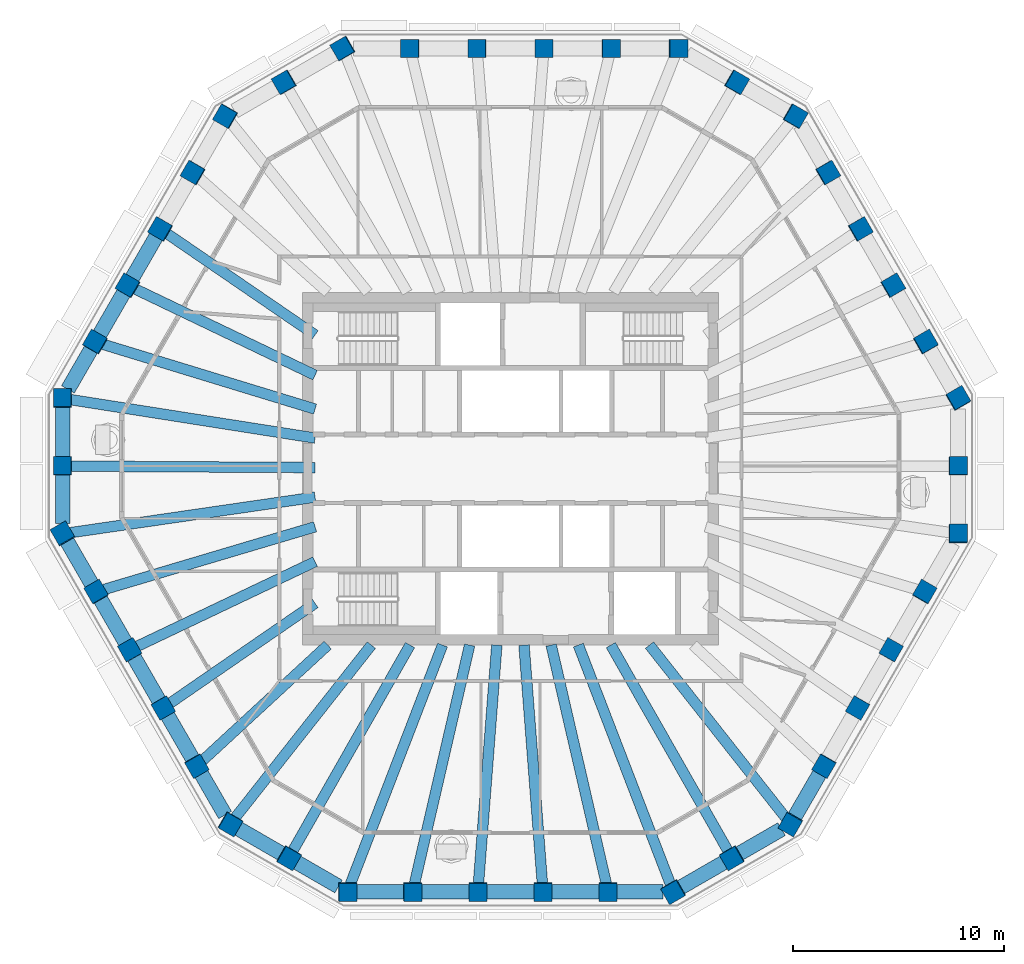
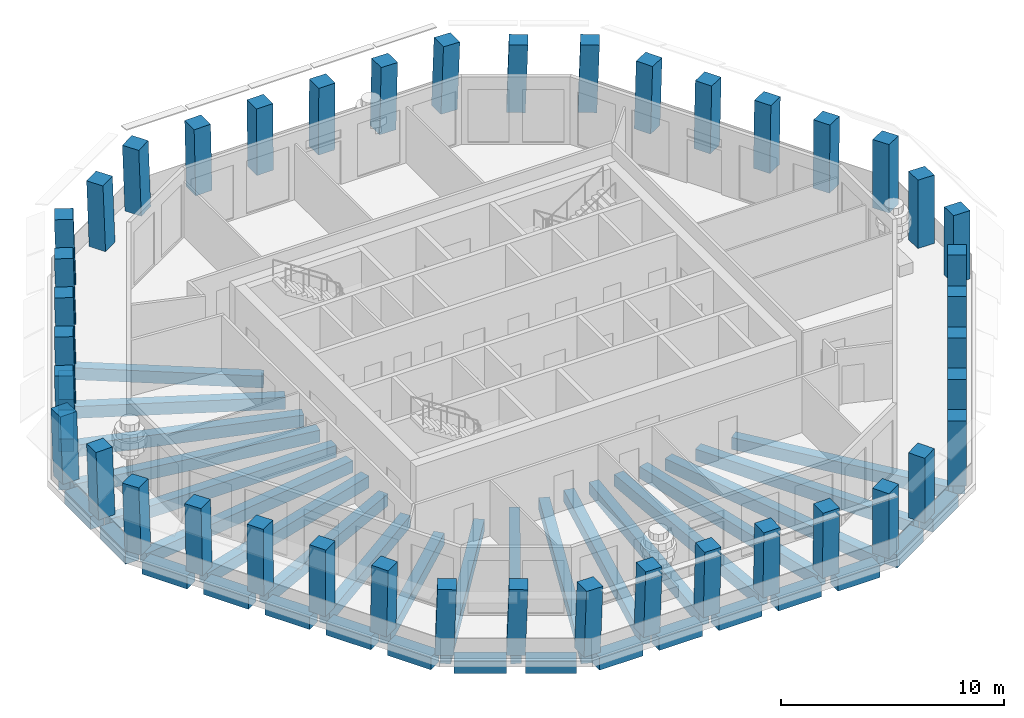
# One storey, part 1 of 11: 42 columns, 40 beams.
"""IFC4 building model written with IfcOpenShell, lengths in metres."""

from ifc_helpers import new_model, si_unit, direction, frame, origin, origin_2d, place, context, subcontext, project, spatial, rectangle, extrude, material, material_profile, profile_set, type_object, element, save


model = new_model("IFC4")

# Units and contexts
model_context = context("Model", 3, precision=1e-05, world=origin(), true_north=direction((0.0, 1.0)))
body_context = subcontext(model_context, "Body", "Model", "MODEL_VIEW")
ifc_project = project(units=[si_unit("LENGTHUNIT", "METRE"), si_unit("AREAUNIT", "SQUARE_METRE"), si_unit("VOLUMEUNIT", "CUBIC_METRE"), si_unit("PLANEANGLEUNIT", "RADIAN"), si_unit("MASSUNIT", "GRAM", prefix="KILO")], contexts=[model_context])

# Site, building, storey
site_placement = place(None, origin())
site = spatial("IfcSite", under=ifc_project, at=site_placement, CompositionType="ELEMENT")
building_placement = place(site_placement, origin())
building = spatial("IfcBuilding", under=site, at=building_placement, Name="Frailejon Research Tower", CompositionType="ELEMENT")
storey_placement = place(building_placement, frame((0.0, 0.0, 312.60009765625)))
storey = spatial("IfcBuildingStorey", under=building, at=storey_placement, Name="L69", CompositionType="ELEMENT", Elevation=312.60009765625)

# Columns
ifc_material_1 = material(Name="Concrete C50/60", Category="concrete")
ifc_material_profile_1 = material_profile(ifc_material_1, rectangle(XDim=0.85009765625, YDim=0.85009765625, at=origin_2d()), Name="Column 850")
ifc_profile_set_1 = profile_set([ifc_material_profile_1], Name="Concrete C50/60")
column_type = type_object("IfcColumnType", Name="Column 850", PredefinedType="COLUMN", material=ifc_profile_set_1)
for number, where, z_axis, x_axis, name in (
    (1, (21.2001953125, -3.080322265625, 0.0), (0.018115203871, 0.031350666477, 0.999344272561), (-0.000374749584, 0.999508428335, -0.031349023127), "Column C01"),
    (2, (21.2001953125, 0.125732421875, 0.0), (0.018115165867, 0.031417446337, 0.999342176049), (-0.001297375745, 0.999506085267, -0.031399081689), "Column C02"),
    (3, (21.2001953125, 3.331787109375, 0.0), (0.018115165867, 0.031417446337, 0.999342176049), (-0.501041092948, 0.865233799715, -0.018118913022), "Column C03"),
):
    element("IfcColumn", number, at=place(storey_placement, frame(where, z_axis=z_axis, x_axis=x_axis)), inside=storey, type_object=column_type, Name=name, PredefinedType="COLUMN", context=body_context, shape_type="SweptSolid", body=[
        extrude(rectangle(XDim=0.85009765625, YDim=0.85009765625, at=origin_2d()), origin(), (0.0, 0.0, 1.0), 3.65234375),
    ])
column_1_placement = place(storey_placement, frame((19.6572265625, 6.004150390625, 0.0), z_axis=(0.021793949015, 0.025136579231, 0.999446434868), x_axis=(-0.499665408411, 0.866150057728, -0.010888394553)))
element("IfcColumn", 4, at=column_1_placement, inside=storey, type_object=column_type, Name="Column C04", PredefinedType="COLUMN", context=body_context, shape_type="SweptSolid", body=[
    extrude(rectangle(XDim=0.85009765625, YDim=0.85009765625, at=origin_2d()), origin(), (0.0, 0.0, 1.0), 3.65185546875),
])
for number, where, z_axis, x_axis, name in (
    (5, (18.1142578125, 8.676513671875, 0.0), (0.025338491599, 0.018920298476, 0.999499866508), (-0.502095324697, 0.864804614861, -0.003641844679), "Column C05"),
    (6, (16.5712890625, 11.34912109375, 0.0), (0.029015583354, 0.012568962375, 0.99949993352), (-0.499848966802, 0.86610502362, 0.003619177736), "Column C06"),
):
    element("IfcColumn", number, at=place(storey_placement, frame(where, z_axis=z_axis, x_axis=x_axis)), inside=storey, type_object=column_type, Name=name, PredefinedType="COLUMN", context=body_context, shape_type="SweptSolid", body=[
        extrude(rectangle(XDim=0.85009765625, YDim=0.85009765625, at=origin_2d()), origin(), (0.0, 0.0, 1.0), 3.651611328125),
    ])
column_2_placement = place(storey_placement, frame((15.0283203125, 14.021484375, 0.0), z_axis=(0.032690901241, 0.006284140525, 0.999445753682), x_axis=(-0.499706638274, 0.866126137772, 0.010899042754)))
element("IfcColumn", 7, at=column_2_placement, inside=storey, type_object=column_type, Name="Column C07", PredefinedType="COLUMN", context=body_context, shape_type="SweptSolid", body=[
    extrude(rectangle(XDim=0.85009765625, YDim=0.85009765625, at=origin_2d()), origin(), (0.0, 0.0, 1.0), 3.65185546875),
])
for number, where, z_axis, x_axis, name in (
    (8, (13.4853515625, 16.69384765625, 0.0), (0.036297136169, 0.0, 0.99934104184), (-0.865312543657, 0.500246354177, 0.031429077673), "Column C08"),
    (9, (10.708984375, 18.297119140625, 0.0), (0.036230378439, 0.0, 0.99934346432), (-0.865314641241, 0.500246354177, 0.031371273281), "Column C09"),
    (10, (7.932373046875, 19.89990234375, 0.0), (0.036230378439, 0.0, 0.99934346432), (-0.99934346432, 0.0, 0.036230378439), "Column C10"),
):
    element("IfcColumn", number, at=place(storey_placement, frame(where, z_axis=z_axis, x_axis=x_axis)), inside=storey, type_object=column_type, Name=name, PredefinedType="COLUMN", context=body_context, shape_type="SweptSolid", body=[
        extrude(rectangle(XDim=0.85009765625, YDim=0.85009765625, at=origin_2d()), origin(), (0.0, 0.0, 1.0), 3.65234375),
    ])
column_3_placement = place(storey_placement, frame((4.759521484375, 19.89990234375, 0.0), z_axis=(0.021733995409, 0.0, 0.999763788824), x_axis=(-0.999763788824, 0.0, 0.021733995409)))
element("IfcColumn", 11, at=column_3_placement, inside=storey, type_object=column_type, Name="Column C11", PredefinedType="COLUMN", context=body_context, shape_type="SweptSolid", body=[
    extrude(rectangle(XDim=0.85009765625, YDim=0.85009765625, at=origin_2d()), origin(), (0.0, 0.0, 1.0), 3.65087890625),
])
for number, where, z_axis, x_axis, name in (
    (12, (1.58642578125, 19.89990234375, 0.0), (0.00729077612, 0.0, 0.999973421939), (-0.999973421939, 0.0, 0.00729077612), "Column C12"),
    (13, (-1.58642578125, 19.89990234375, 0.0), (-0.00729077612, 0.0, 0.999973421939), (-0.999973421939, 0.0, -0.00729077612), "Column C13"),
):
    element("IfcColumn", number, at=place(storey_placement, frame(where, z_axis=z_axis, x_axis=x_axis)), inside=storey, type_object=column_type, Name=name, PredefinedType="COLUMN", context=body_context, shape_type="SweptSolid", body=[
        extrude(rectangle(XDim=0.85009765625, YDim=0.85009765625, at=origin_2d()), origin(), (0.0, 0.0, 1.0), 3.64990234375),
    ])
column_4_placement = place(storey_placement, frame((-4.759521484375, 19.89990234375, 0.0), z_axis=(-0.021733995409, 0.0, 0.999763788824), x_axis=(-0.999763788824, 0.0, -0.021733995409)))
element("IfcColumn", 14, at=column_4_placement, inside=storey, type_object=column_type, Name="Column C14", PredefinedType="COLUMN", context=body_context, shape_type="SweptSolid", body=[
    extrude(rectangle(XDim=0.85009765625, YDim=0.85009765625, at=origin_2d()), origin(), (0.0, 0.0, 1.0), 3.65087890625),
])
for number, where, z_axis, x_axis, name in (
    (15, (-7.932373046875, 19.89990234375, 0.0), (-0.036230378439, 0.0, 0.99934346432), (-0.865314641241, -0.500246354177, -0.031371273281), "Column C15"),
    (16, (-10.708984375, 18.297119140625, 0.0), (-0.036230378439, 0.0, 0.99934346432), (-0.865314641241, -0.500246354177, -0.031371273281), "Column C16"),
    (17, (-13.4853515625, 16.69384765625, 0.0), (-0.036297136169, 0.0, 0.99934104184), (-0.49942428864, -0.866167613071, -0.018139624664), "Column C17"),
):
    element("IfcColumn", number, at=place(storey_placement, frame(where, z_axis=z_axis, x_axis=x_axis)), inside=storey, type_object=column_type, Name=name, PredefinedType="COLUMN", context=body_context, shape_type="SweptSolid", body=[
        extrude(rectangle(XDim=0.85009765625, YDim=0.85009765625, at=origin_2d()), origin(), (0.0, 0.0, 1.0), 3.65234375),
    ])
column_5_placement = place(storey_placement, frame((-15.0283203125, 14.021484375, 0.0), z_axis=(-0.032690901241, 0.006284140525, 0.999445753682), x_axis=(-0.499706638274, -0.866126137772, -0.010899042754)))
element("IfcColumn", 18, at=column_5_placement, inside=storey, type_object=column_type, Name="Column C18", PredefinedType="COLUMN", context=body_context, shape_type="SweptSolid", body=[
    extrude(rectangle(XDim=0.85009765625, YDim=0.85009765625, at=origin_2d()), origin(), (0.0, 0.0, 1.0), 3.65185546875),
])
for number, where, z_axis, x_axis, name in (
    (19, (-16.5712890625, 11.34912109375, 0.0), (-0.029015583354, 0.012568962375, 0.99949993352), (-0.499848966802, -0.86610502362, -0.003619177736), "Column C19"),
    (20, (-18.1142578125, 8.676513671875, 0.0), (-0.025338491599, 0.018920298476, 0.999499866508), (-0.502095324697, -0.864804614861, 0.003641844679), "Column C20"),
):
    element("IfcColumn", number, at=place(storey_placement, frame(where, z_axis=z_axis, x_axis=x_axis)), inside=storey, type_object=column_type, Name=name, PredefinedType="COLUMN", context=body_context, shape_type="SweptSolid", body=[
        extrude(rectangle(XDim=0.85009765625, YDim=0.85009765625, at=origin_2d()), origin(), (0.0, 0.0, 1.0), 3.651611328125),
    ])
column_6_placement = place(storey_placement, frame((-19.6572265625, 6.004150390625, 0.0), z_axis=(-0.021793949015, 0.025136579231, 0.999446434868), x_axis=(-0.499665408411, -0.866150057728, 0.010888394553)))
element("IfcColumn", 21, at=column_6_placement, inside=storey, type_object=column_type, Name="Column C21", PredefinedType="COLUMN", context=body_context, shape_type="SweptSolid", body=[
    extrude(rectangle(XDim=0.85009765625, YDim=0.85009765625, at=origin_2d()), origin(), (0.0, 0.0, 1.0), 3.65185546875),
])
for number, where, z_axis, x_axis, name in (
    (22, (-21.2001953125, 3.331787109375, 0.0), (-0.018115165867, 0.031417446337, 0.999342176049), (-0.001297375745, -0.999506085267, 0.031399081689), "Column C22"),
    (23, (-21.2001953125, 0.125732421875, 0.0), (-0.018115165867, 0.031417446337, 0.999342176049), (-0.001297375745, -0.999506085267, 0.031399081689), "Column C23"),
    (24, (-21.2001953125, -3.080322265625, 0.0), (-0.018115203871, 0.031350666477, 0.999344272561), (0.499839742394, -0.865360738107, 0.036208077349), "Column C24"),
):
    element("IfcColumn", number, at=place(storey_placement, frame(where, z_axis=z_axis, x_axis=x_axis)), inside=storey, type_object=column_type, Name=name, PredefinedType="COLUMN", context=body_context, shape_type="SweptSolid", body=[
        extrude(rectangle(XDim=0.85009765625, YDim=0.85009765625, at=origin_2d()), origin(), (0.0, 0.0, 1.0), 3.65234375),
    ])
column_7_placement = place(storey_placement, frame((-19.613525390625, -5.828125, 0.0), z_axis=(-0.010900436936, 0.018791550792, 0.999764001199), x_axis=(0.501062877188, -0.865138168972, 0.021724219028)))
element("IfcColumn", 25, at=column_7_placement, inside=storey, type_object=column_type, Name="Column C25", PredefinedType="COLUMN", context=body_context, shape_type="SweptSolid", body=[
    extrude(rectangle(XDim=0.85009765625, YDim=0.85009765625, at=origin_2d()), origin(), (0.0, 0.0, 1.0), 3.65087890625),
])
for number, where, z_axis, x_axis, name in (
    (26, (-18.027099609375, -8.576171875, 0.0), (-0.003611943648, 0.006354345307, 0.999973287723), (0.492840369787, -0.870089044977, 0.007309153127), "Column C26"),
    (27, (-16.440673828125, -11.323974609375, 0.0), (0.003611945175, -0.00628746012, 0.999973710503), (0.499382072477, -0.866351526517, -0.007251081967), "Column C27"),
):
    element("IfcColumn", number, at=place(storey_placement, frame(where, z_axis=z_axis, x_axis=x_axis)), inside=storey, type_object=column_type, Name=name, PredefinedType="COLUMN", context=body_context, shape_type="SweptSolid", body=[
        extrude(rectangle(XDim=0.85009765625, YDim=0.85009765625, at=origin_2d()), origin(), (0.0, 0.0, 1.0), 3.64990234375),
    ])
column_8_placement = place(storey_placement, frame((-14.854248046875, -14.07177734375, 0.0), z_axis=(0.010900423214, -0.018858400897, 0.999762742599), x_axis=(0.499728924135, -0.865907930491, -0.021782063614)))
element("IfcColumn", 28, at=column_8_placement, inside=storey, type_object=column_type, Name="Column C28", PredefinedType="COLUMN", context=body_context, shape_type="SweptSolid", body=[
    extrude(rectangle(XDim=0.85009765625, YDim=0.85009765625, at=origin_2d()), origin(), (0.0, 0.0, 1.0), 3.65087890625),
])
for number, where, z_axis, x_axis, name in (
    (29, (-13.267578125, -16.819580078125, 0.0), (0.018115165867, -0.031417446337, 0.999342176049), (0.865519692755, -0.499889378995, -0.031404939456), "Column C29"),
    (30, (-10.4912109375, -18.422607421875, 0.0), (0.018115165867, -0.031417446337, 0.999342176049), (0.865519692755, -0.499889378995, -0.031404939456), "Column C30"),
    (31, (-7.714599609375, -20.025634765625, 0.0), (0.018115165867, -0.031417446337, 0.999342176049), (0.999835898247, 0.000437581599, -0.018110358868), "Column C31"),
):
    element("IfcColumn", number, at=place(storey_placement, frame(where, z_axis=z_axis, x_axis=x_axis)), inside=storey, type_object=column_type, Name=name, PredefinedType="COLUMN", context=body_context, shape_type="SweptSolid", body=[
        extrude(rectangle(XDim=0.85009765625, YDim=0.85009765625, at=origin_2d()), origin(), (0.0, 0.0, 1.0), 3.65234375),
    ])
column_9_placement = place(storey_placement, frame((-4.62890625, -20.025634765625, 0.0), z_axis=(0.010896978963, -0.031420736888, 0.99944684358), x_axis=(0.999940625187, 0.000298260455, -0.010892985919)))
element("IfcColumn", 32, at=column_9_placement, inside=storey, type_object=column_type, Name="Column C32", PredefinedType="COLUMN", context=body_context, shape_type="SweptSolid", body=[
    extrude(rectangle(XDim=0.85009765625, YDim=0.85009765625, at=origin_2d()), origin(), (0.0, 0.0, 1.0), 3.65185546875),
])
for number, where, z_axis, x_axis, name in (
    (33, (-1.54296875, -20.025634765625, 0.0), (0.003610232938, -0.031422397791, 0.999499674405), (0.999993379572, -0.000341341874, -0.00362274737), "Column C33"),
    (34, (1.54296875, -20.025634765625, 0.0), (-0.003610232938, -0.031422397791, 0.999499674405), (0.999993379572, 0.000341341874, 0.00362274737), "Column C34"),
):
    element("IfcColumn", number, at=place(storey_placement, frame(where, z_axis=z_axis, x_axis=x_axis)), inside=storey, type_object=column_type, Name=name, PredefinedType="COLUMN", context=body_context, shape_type="SweptSolid", body=[
        extrude(rectangle(XDim=0.85009765625, YDim=0.85009765625, at=origin_2d()), origin(), (0.0, 0.0, 1.0), 3.651611328125),
    ])
column_10_placement = place(storey_placement, frame((4.62890625, -20.025634765625, 0.0), z_axis=(-0.010896978963, -0.031420736888, 0.99944684358), x_axis=(0.999940625187, -0.000298260455, 0.010892985919)))
element("IfcColumn", 35, at=column_10_placement, inside=storey, type_object=column_type, Name="Column C35", PredefinedType="COLUMN", context=body_context, shape_type="SweptSolid", body=[
    extrude(rectangle(XDim=0.85009765625, YDim=0.85009765625, at=origin_2d()), origin(), (0.0, 0.0, 1.0), 3.65185546875),
])
for number, where, z_axis, x_axis, name in (
    (36, (7.714599609375, -20.025634765625, 0.0), (-0.018115165867, -0.031417446337, 0.999342176049), (0.865818316477, 0.499372659284, 0.031394107935), "Column C36"),
    (37, (10.4912109375, -18.422607421875, 0.0), (-0.018115165867, -0.031417446337, 0.999342176049), (0.865519692755, 0.499889378995, 0.031404939456), "Column C37"),
    (38, (13.267578125, -16.819580078125, 0.0), (-0.018115165867, -0.031417446337, 0.999342176049), (0.499040470376, 0.865819492615, 0.036265894916), "Column C38"),
):
    element("IfcColumn", number, at=place(storey_placement, frame(where, z_axis=z_axis, x_axis=x_axis)), inside=storey, type_object=column_type, Name=name, PredefinedType="COLUMN", context=body_context, shape_type="SweptSolid", body=[
        extrude(rectangle(XDim=0.85009765625, YDim=0.85009765625, at=origin_2d()), origin(), (0.0, 0.0, 1.0), 3.65234375),
    ])
column_11_placement = place(storey_placement, frame((14.854248046875, -14.07177734375, 0.0), z_axis=(-0.010900423214, -0.018858400897, 0.999762742599), x_axis=(0.499728924135, 0.865907930491, 0.021782063614)))
element("IfcColumn", 39, at=column_11_placement, inside=storey, type_object=column_type, Name="Column C39", PredefinedType="COLUMN", context=body_context, shape_type="SweptSolid", body=[
    extrude(rectangle(XDim=0.85009765625, YDim=0.85009765625, at=origin_2d()), origin(), (0.0, 0.0, 1.0), 3.65087890625),
])
for number, where, z_axis, x_axis, name in (
    (40, (16.440673828125, -11.323974609375, 0.0), (-0.003611945175, -0.00628746012, 0.999973710503), (0.499382072477, 0.866351526517, 0.007251081967), "Column C40"),
    (41, (18.027099609375, -8.576171875, 0.0), (0.003611943648, 0.006354345307, 0.999973287723), (0.492840369787, 0.870089044977, -0.007309153127), "Column C41"),
):
    element("IfcColumn", number, at=place(storey_placement, frame(where, z_axis=z_axis, x_axis=x_axis)), inside=storey, type_object=column_type, Name=name, PredefinedType="COLUMN", context=body_context, shape_type="SweptSolid", body=[
        extrude(rectangle(XDim=0.85009765625, YDim=0.85009765625, at=origin_2d()), origin(), (0.0, 0.0, 1.0), 3.64990234375),
    ])
column_12_placement = place(storey_placement, frame((19.613525390625, -5.828125, 0.0), z_axis=(0.010900436936, 0.018791550792, 0.999764001199), x_axis=(0.501062877188, 0.865138168972, -0.021724219028)))
element("IfcColumn", 42, at=column_12_placement, inside=storey, type_object=column_type, Name="Column C42", PredefinedType="COLUMN", context=body_context, shape_type="SweptSolid", body=[
    extrude(rectangle(XDim=0.85009765625, YDim=0.85009765625, at=origin_2d()), origin(), (0.0, 0.0, 1.0), 3.65087890625),
])

# Beams
ifc_material_2 = material(Name="Concrete C60/75", Category="concrete")
ifc_material_profile_2 = material_profile(ifc_material_2, rectangle(XDim=0.5, YDim=0.64990234375, at=origin_2d()), Name="Girder 500x650")
ifc_profile_set_2 = profile_set([ifc_material_profile_2], Name="Concrete C60/75")
beam_type_1 = type_object("IfcBeamType", Name="Girder 500x650", PredefinedType="BEAM", material=ifc_profile_set_2)
beam_1_placement = place(storey_placement, frame((-16.343505859375, 11.193115234375, -0.625), z_axis=(0.825052254078, -0.565056437925, 0.0), x_axis=(0.565056437925, 0.825052254078, 0.0)))
element("IfcBeam", 43, at=beam_1_placement, inside=storey, type_object=beam_type_1, Name="Girder 500x650", PredefinedType="BEAM", context=body_context, shape_type="SweptSolid", body=[
    extrude(rectangle(XDim=0.5, YDim=0.64990234375, at=origin_2d()), origin(), (0.0, 0.0, 1.0), 8.59765625),
])
beam_2_placement = place(storey_placement, frame((-17.864990234375, 8.557373046875, -0.625), z_axis=(0.901869348381, -0.432008887003, 0.0), x_axis=(0.432008887003, 0.901869348381, 0.0)))
element("IfcBeam", 44, at=beam_2_placement, inside=storey, type_object=beam_type_1, Name="Girder 500x650", PredefinedType="BEAM", context=body_context, shape_type="SweptSolid", body=[
    extrude(rectangle(XDim=0.5, YDim=0.64990234375, at=origin_2d()), origin(), (0.0, 0.0, 1.0), 9.552490234375),
])
beam_3_placement = place(storey_placement, frame((-19.383544921875, 5.920654296875, -0.625), z_axis=(0.956381794636, -0.292119603739, 0.0), x_axis=(0.292119603739, 0.956381794636, 0.0)))
element("IfcBeam", 45, at=beam_3_placement, inside=storey, type_object=beam_type_1, Name="Girder 500x650", PredefinedType="BEAM", context=body_context, shape_type="SweptSolid", body=[
    extrude(rectangle(XDim=0.5, YDim=0.64990234375, at=origin_2d()), origin(), (0.0, 0.0, 1.0), 10.595703125),
])
beam_4_placement = place(storey_placement, frame((-20.92333984375, 3.288330078125, -0.625), z_axis=(0.987872779719, -0.155265485832, 0.0), x_axis=(0.155265485832, 0.987872779719, 0.0)))
element("IfcBeam", 46, at=beam_4_placement, inside=storey, type_object=beam_type_1, Name="Girder 500x650", PredefinedType="BEAM", context=body_context, shape_type="SweptSolid", body=[
    extrude(rectangle(XDim=0.5, YDim=0.64990234375, at=origin_2d()), origin(), (0.0, 0.0, 1.0), 11.816650390625),
])
beam_5_placement = place(storey_placement, frame((-20.925048828125, 0.1240234375, -0.625), z_axis=(0.999982365714, -0.005938708765, 0.0), x_axis=(0.005938708765, 0.999982365714, 0.0)))
element("IfcBeam", 47, at=beam_5_placement, inside=storey, type_object=beam_type_1, Name="Girder 500x650", PredefinedType="BEAM", context=body_context, shape_type="SweptSolid", body=[
    extrude(rectangle(XDim=0.5, YDim=0.64990234375, at=origin_2d()), origin(), (0.0, 0.0, 1.0), 11.67529296875),
])
beam_6_placement = place(storey_placement, frame((-20.895751953125, -3.0361328125, -0.625), z_axis=(0.989608080829, 0.143790981494, 0.0), x_axis=(-0.143790981494, 0.989608080829, 0.0)))
element("IfcBeam", 48, at=beam_6_placement, inside=storey, type_object=beam_type_1, Name="Girder 500x650", PredefinedType="BEAM", context=body_context, shape_type="SweptSolid", body=[
    extrude(rectangle(XDim=0.5, YDim=0.64990234375, at=origin_2d()), origin(), (0.0, 0.0, 1.0), 11.76806640625),
])
beam_7_placement = place(storey_placement, frame((-19.33837890625, -5.74658203125, -0.625), z_axis=(0.958567519281, 0.284865426087, 0.0), x_axis=(-0.284865426087, 0.958567519281, 0.0)))
element("IfcBeam", 49, at=beam_7_placement, inside=storey, type_object=beam_type_1, Name="Girder 500x650", PredefinedType="BEAM", context=body_context, shape_type="SweptSolid", body=[
    extrude(rectangle(XDim=0.5, YDim=0.64990234375, at=origin_2d()), origin(), (0.0, 0.0, 1.0), 10.5244140625),
])
beam_8_placement = place(storey_placement, frame((-17.777587890625, -8.45751953125, -0.625), z_axis=(0.903009559687, 0.429620454719, 0.0), x_axis=(-0.429620454719, 0.903009559687, 0.0)))
element("IfcBeam", 50, at=beam_8_placement, inside=storey, type_object=beam_type_1, Name="Girder 500x650", PredefinedType="BEAM", context=body_context, shape_type="SweptSolid", body=[
    extrude(rectangle(XDim=0.5, YDim=0.64990234375, at=origin_2d()), origin(), (0.0, 0.0, 1.0), 9.443603515625),
])
beam_9_placement = place(storey_placement, frame((-16.213134765625, -11.1669921875, -0.625), z_axis=(0.823558859926, 0.567230820952, 0.0), x_axis=(-0.567230820952, 0.823558859926, 0.0)))
element("IfcBeam", 51, at=beam_9_placement, inside=storey, type_object=beam_type_1, Name="Girder 500x650", PredefinedType="BEAM", context=body_context, shape_type="SweptSolid", body=[
    extrude(rectangle(XDim=0.5, YDim=0.64990234375, at=origin_2d()), origin(), (0.0, 0.0, 1.0), 8.454833984375),
])
beam_10_placement = place(storey_placement, frame((-14.644287109375, -13.878173828125, -0.625), z_axis=(0.7351213229, 0.677935572616, 0.0), x_axis=(-0.677935572616, 0.7351213229, 0.0)))
element("IfcBeam", 52, at=beam_10_placement, inside=storey, type_object=beam_type_1, Name="Girder 500x650", PredefinedType="BEAM", context=body_context, shape_type="SweptSolid", body=[
    extrude(rectangle(XDim=0.5, YDim=0.64990234375, at=origin_2d()), origin(), (0.0, 0.0, 1.0), 8.154296875),
])
beam_11_placement = place(storey_placement, frame((-13.094482421875, -16.60009765625, -0.625), z_axis=(0.619330855019, 0.785130111524, 0.0), x_axis=(-0.785130111524, 0.619330855019, 0.0)))
element("IfcBeam", 53, at=beam_11_placement, inside=storey, type_object=beam_type_1, Name="Girder 500x650", PredefinedType="BEAM", context=body_context, shape_type="SweptSolid", body=[
    extrude(rectangle(XDim=0.5, YDim=0.64990234375, at=origin_2d()), origin(), (0.0, 0.0, 1.0), 10.5078125),
])
beam_12_placement = place(storey_placement, frame((-10.35498046875, -18.18359375, -0.625), z_axis=(0.494853552622, 0.868976387169, 0.0), x_axis=(-0.868976387169, 0.494853552622, 0.0)))
element("IfcBeam", 54, at=beam_12_placement, inside=storey, type_object=beam_type_1, Name="Girder 500x650", PredefinedType="BEAM", context=body_context, shape_type="SweptSolid", body=[
    extrude(rectangle(XDim=0.5, YDim=0.64990234375, at=origin_2d()), origin(), (0.0, 0.0, 1.0), 11.316162109375),
])
beam_13_placement = place(storey_placement, frame((-7.604736328125, -19.74072265625, -0.625), z_axis=(0.359473583685, 0.933155261804, 0.0), x_axis=(-0.933155261804, 0.359473583685, 0.0)))
element("IfcBeam", 55, at=beam_13_placement, inside=storey, type_object=beam_type_1, Name="Girder 500x650", PredefinedType="BEAM", context=body_context, shape_type="SweptSolid", body=[
    extrude(rectangle(XDim=0.5, YDim=0.64990234375, at=origin_2d()), origin(), (0.0, 0.0, 1.0), 12.20654296875),
])
beam_14_placement = place(storey_placement, frame((-4.564208984375, -19.746826171875, -0.625), z_axis=(0.225205516971, 0.974311282458, 0.0), x_axis=(-0.974311282458, 0.225205516971, 0.0)))
element("IfcBeam", 56, at=beam_14_placement, inside=storey, type_object=beam_type_1, Name="Girder 500x650", PredefinedType="BEAM", context=body_context, shape_type="SweptSolid", body=[
    extrude(rectangle(XDim=0.5, YDim=0.64990234375, at=origin_2d()), origin(), (0.0, 0.0, 1.0), 11.697265625),
])
for number, where, z_axis, x_axis, name in (
    (57, (-1.521728515625, -19.750244140625, -0.625), (0.076825491114, 0.997044554629, 0.0), (-0.997044554629, 0.076825491114, 0.0), "Girder 500x650"),
    (58, (1.521728515625, -19.750244140625, -0.625), (-0.076825491114, 0.997044554629, 0.0), (-0.997044554629, -0.076825491114, 0.0), "Girder 500x650"),
):
    element("IfcBeam", number, at=place(storey_placement, frame(where, z_axis=z_axis, x_axis=x_axis)), inside=storey, type_object=beam_type_1, Name=name, PredefinedType="BEAM", context=body_context, shape_type="SweptSolid", body=[
        extrude(rectangle(XDim=0.5, YDim=0.64990234375, at=origin_2d()), origin(), (0.0, 0.0, 1.0), 11.433837890625),
    ])
beam_15_placement = place(storey_placement, frame((4.564208984375, -19.746826171875, -0.625), z_axis=(-0.225205516971, 0.974311282458, 0.0), x_axis=(-0.974311282458, -0.225205516971, 0.0)))
element("IfcBeam", 59, at=beam_15_placement, inside=storey, type_object=beam_type_1, Name="Girder 500x650", PredefinedType="BEAM", context=body_context, shape_type="SweptSolid", body=[
    extrude(rectangle(XDim=0.5, YDim=0.64990234375, at=origin_2d()), origin(), (0.0, 0.0, 1.0), 11.697265625),
])
beam_16_placement = place(storey_placement, frame((7.614013671875, -19.76416015625, -0.625), z_axis=(-0.359491285822, 0.933148442327, 0.0), x_axis=(-0.933148442327, -0.359491285822, 0.0)))
element("IfcBeam", 60, at=beam_16_placement, inside=storey, type_object=beam_type_1, Name="Girder 500x650", PredefinedType="BEAM", context=body_context, shape_type="SweptSolid", body=[
    extrude(rectangle(XDim=0.5, YDim=0.64990234375, at=origin_2d()), origin(), (0.0, 0.0, 1.0), 12.231689453125),
])
beam_17_placement = place(storey_placement, frame((10.35498046875, -18.18359375, -0.625), z_axis=(-0.494853552622, 0.868976387169, 0.0), x_axis=(-0.868976387169, -0.494853552622, 0.0)))
element("IfcBeam", 61, at=beam_17_placement, inside=storey, type_object=beam_type_1, Name="Girder 500x650", PredefinedType="BEAM", context=body_context, shape_type="SweptSolid", body=[
    extrude(rectangle(XDim=0.5, YDim=0.64990234375, at=origin_2d()), origin(), (0.0, 0.0, 1.0), 11.316162109375),
])
beam_18_placement = place(storey_placement, frame((13.0771484375, -16.578125, -0.625), z_axis=(-0.619330773425, 0.785130175887, 0.0), x_axis=(-0.785130175887, -0.619330773425, 0.0)))
element("IfcBeam", 62, at=beam_18_placement, inside=storey, type_object=beam_type_1, Name="Girder 500x650", PredefinedType="BEAM", context=body_context, shape_type="SweptSolid", body=[
    extrude(rectangle(XDim=0.5, YDim=0.64990234375, at=origin_2d()), origin(), (0.0, 0.0, 1.0), 10.479736328125),
])
ifc_material_3 = material(Name="Concrete C60/75", Category="concrete")
ifc_material_profile_3 = material_profile(ifc_material_3, rectangle(XDim=0.699951171875, YDim=0.699951171875, at=origin_2d()), Name="Spandrel 700x700")
ifc_profile_set_3 = profile_set([ifc_material_profile_3], Name="Concrete C60/75")
beam_type_2 = type_object("IfcBeamType", Name="Spandrel 700x700", PredefinedType="BEAM", material=ifc_profile_set_3)
for number, where, z_axis, x_axis, name in (
    (63, (-16.78369140625, 10.98095703125, -0.7001953125), (-0.500002867593, -0.866023748172, 0.0), (0.866023748172, -0.500002867593, 0.0), "Spandrel 700x700"),
    (64, (-18.32666015625, 8.30859375, -0.7001953125), (-0.500002867593, -0.866023748172, 0.0), (0.866023748172, -0.500002867593, 0.0), "Spandrel 700x700"),
):
    element("IfcBeam", number, at=place(storey_placement, frame(where, z_axis=z_axis, x_axis=x_axis)), inside=storey, type_object=beam_type_2, Name=name, PredefinedType="BEAM", context=body_context, shape_type="SweptSolid", body=[
        extrude(rectangle(XDim=0.699951171875, YDim=0.699951171875, at=origin_2d()), origin(), (0.0, 0.0, 1.0), 2.23583984375),
    ])
beam_19_placement = place(storey_placement, frame((-19.86962890625, 5.635986328125, -0.7001953125), z_axis=(-0.500011390128, -0.866018827591, 0.0), x_axis=(0.866018827591, -0.500011390128, 0.0)))
element("IfcBeam", 65, at=beam_19_placement, inside=storey, type_object=beam_type_2, Name="Spandrel 700x700", PredefinedType="BEAM", context=body_context, shape_type="SweptSolid", body=[
    extrude(rectangle(XDim=0.699951171875, YDim=0.699951171875, at=origin_2d()), origin(), (0.0, 0.0, 1.0), 2.169921875),
])
beam_20_placement = place(storey_placement, frame((-21.2001953125, 2.90673828125, -0.7001953125), z_axis=(0.0, -1.0, 0.0), x_axis=(1.0, 0.0, 0.0)))
element("IfcBeam", 66, at=beam_20_placement, inside=storey, type_object=beam_type_2, Name="Spandrel 700x700", PredefinedType="BEAM", context=body_context, shape_type="SweptSolid", body=[
    extrude(rectangle(XDim=0.699951171875, YDim=0.699951171875, at=origin_2d()), origin(), (0.0, 0.0, 1.0), 2.35595703125),
])
beam_21_placement = place(storey_placement, frame((-21.2001953125, -0.29931640625, -0.7001953125), z_axis=(0.0, -1.0, 0.0), x_axis=(1.0, 0.0, 0.0)))
element("IfcBeam", 67, at=beam_21_placement, inside=storey, type_object=beam_type_2, Name="Spandrel 700x700", PredefinedType="BEAM", context=body_context, shape_type="SweptSolid", body=[
    extrude(rectangle(XDim=0.699951171875, YDim=0.699951171875, at=origin_2d()), origin(), (0.0, 0.0, 1.0), 2.290283203125),
])
for number, where, z_axis, x_axis, name in (
    (68, (-20.987548828125, -3.448486328125, -0.7001953125), (0.499971131976, -0.866042070104, 0.0), (0.866042070104, 0.499971131976, 0.0), "Spandrel 700x700"),
    (69, (-19.401123046875, -6.1962890625, -0.7001953125), (0.500049955442, -0.865996560076, 0.0), (0.865996560076, 0.500049955442, 0.0), "Spandrel 700x700"),
    (70, (-17.814697265625, -8.944091796875, -0.7001953125), (0.499971131976, -0.866042070104, 0.0), (0.866042070104, 0.499971131976, 0.0), "Spandrel 700x700"),
    (71, (-16.228271484375, -11.69189453125, -0.7001953125), (0.500049955442, -0.865996560076, 0.0), (0.865996560076, 0.500049955442, 0.0), "Spandrel 700x700"),
):
    element("IfcBeam", number, at=place(storey_placement, frame(where, z_axis=z_axis, x_axis=x_axis)), inside=storey, type_object=beam_type_2, Name=name, PredefinedType="BEAM", context=body_context, shape_type="SweptSolid", body=[
        extrude(rectangle(XDim=0.699951171875, YDim=0.699951171875, at=origin_2d()), origin(), (0.0, 0.0, 1.0), 2.322998046875),
    ])
beam_22_placement = place(storey_placement, frame((-14.6416015625, -14.43994140625, -0.7001953125), z_axis=(0.499978398512, -0.86603787505, 0.0), x_axis=(0.86603787505, 0.499978398512, 0.0)))
element("IfcBeam", 72, at=beam_22_placement, inside=storey, type_object=beam_type_2, Name="Spandrel 700x700", PredefinedType="BEAM", context=body_context, shape_type="SweptSolid", body=[
    extrude(rectangle(XDim=0.699951171875, YDim=0.699951171875, at=origin_2d()), origin(), (0.0, 0.0, 1.0), 2.2568359375),
])
beam_23_placement = place(storey_placement, frame((-12.899658203125, -17.031982421875, -0.7001953125), z_axis=(0.86597676952, -0.500084227558, 0.0), x_axis=(0.500084227558, 0.86597676952, 0.0)))
element("IfcBeam", 73, at=beam_23_placement, inside=storey, type_object=beam_type_2, Name="Spandrel 700x700", PredefinedType="BEAM", context=body_context, shape_type="SweptSolid", body=[
    extrude(rectangle(XDim=0.699951171875, YDim=0.699951171875, at=origin_2d()), origin(), (0.0, 0.0, 1.0), 2.35595703125),
])
beam_24_placement = place(storey_placement, frame((-10.123046875, -18.63525390625, -0.7001953125), z_axis=(0.866043571379, -0.499968531483, 0.0), x_axis=(0.499968531483, 0.866043571379, 0.0)))
element("IfcBeam", 74, at=beam_24_placement, inside=storey, type_object=beam_type_2, Name="Spandrel 700x700", PredefinedType="BEAM", context=body_context, shape_type="SweptSolid", body=[
    extrude(rectangle(XDim=0.699951171875, YDim=0.699951171875, at=origin_2d()), origin(), (0.0, 0.0, 1.0), 2.290283203125),
])
for number, where, z_axis, x_axis, name in (
    (75, (-7.28955078125, -20.025634765625, -0.7001953125), (1.0, 0.0, 0.0), (0.0, 1.0, 0.0), "Spandrel 700x700"),
    (76, (-4.203857421875, -20.025634765625, -0.7001953125), (1.0, 0.0, 0.0), (0.0, 1.0, 0.0), "Spandrel 700x700"),
    (77, (-1.117919921875, -20.025634765625, -0.7001953125), (1.0, 0.0, 0.0), (0.0, 1.0, 0.0), "Spandrel 700x700"),
    (78, (1.968017578125, -20.025634765625, -0.7001953125), (1.0, 0.0, 0.0), (0.0, 1.0, 0.0), "Spandrel 700x700"),
):
    element("IfcBeam", number, at=place(storey_placement, frame(where, z_axis=z_axis, x_axis=x_axis)), inside=storey, type_object=beam_type_2, Name=name, PredefinedType="BEAM", context=body_context, shape_type="SweptSolid", body=[
        extrude(rectangle(XDim=0.699951171875, YDim=0.699951171875, at=origin_2d()), origin(), (0.0, 0.0, 1.0), 2.23583984375),
    ])
beam_25_placement = place(storey_placement, frame((5.0537109375, -20.025634765625, -0.7001953125), z_axis=(1.0, 0.0, 0.0), x_axis=(0.0, 1.0, 0.0)))
element("IfcBeam", 79, at=beam_25_placement, inside=storey, type_object=beam_type_2, Name="Spandrel 700x700", PredefinedType="BEAM", context=body_context, shape_type="SweptSolid", body=[
    extrude(rectangle(XDim=0.699951171875, YDim=0.699951171875, at=origin_2d()), origin(), (0.0, 0.0, 1.0), 2.170166015625),
])
beam_26_placement = place(storey_placement, frame((8.082763671875, -19.813232421875, -0.7001953125), z_axis=(0.866021643438, 0.500006513054, 0.0), x_axis=(-0.500006513054, 0.866021643438, 0.0)))
element("IfcBeam", 80, at=beam_26_placement, inside=storey, type_object=beam_type_2, Name="Spandrel 700x700", PredefinedType="BEAM", context=body_context, shape_type="SweptSolid", body=[
    extrude(rectangle(XDim=0.699951171875, YDim=0.699951171875, at=origin_2d()), origin(), (0.0, 0.0, 1.0), 2.35595703125),
])
beam_27_placement = place(storey_placement, frame((10.859375, -18.210205078125, -0.7001953125), z_axis=(0.86599741159, 0.500048480769, 0.0), x_axis=(-0.500048480769, 0.86599741159, 0.0)))
element("IfcBeam", 81, at=beam_27_placement, inside=storey, type_object=beam_type_2, Name="Spandrel 700x700", PredefinedType="BEAM", context=body_context, shape_type="SweptSolid", body=[
    extrude(rectangle(XDim=0.699951171875, YDim=0.699951171875, at=origin_2d()), origin(), (0.0, 0.0, 1.0), 2.290283203125),
])
beam_28_placement = place(storey_placement, frame((13.480224609375, -16.451416015625, -0.7001953125), z_axis=(0.500016644261, 0.866015794002, 0.0), x_axis=(-0.866015794002, 0.500016644261, 0.0)))
element("IfcBeam", 82, at=beam_28_placement, inside=storey, type_object=beam_type_2, Name="Spandrel 700x700", PredefinedType="BEAM", context=body_context, shape_type="SweptSolid", body=[
    extrude(rectangle(XDim=0.699951171875, YDim=0.699951171875, at=origin_2d()), origin(), (0.0, 0.0, 1.0), 2.32275390625),
])

save(model, "model.ifc")
